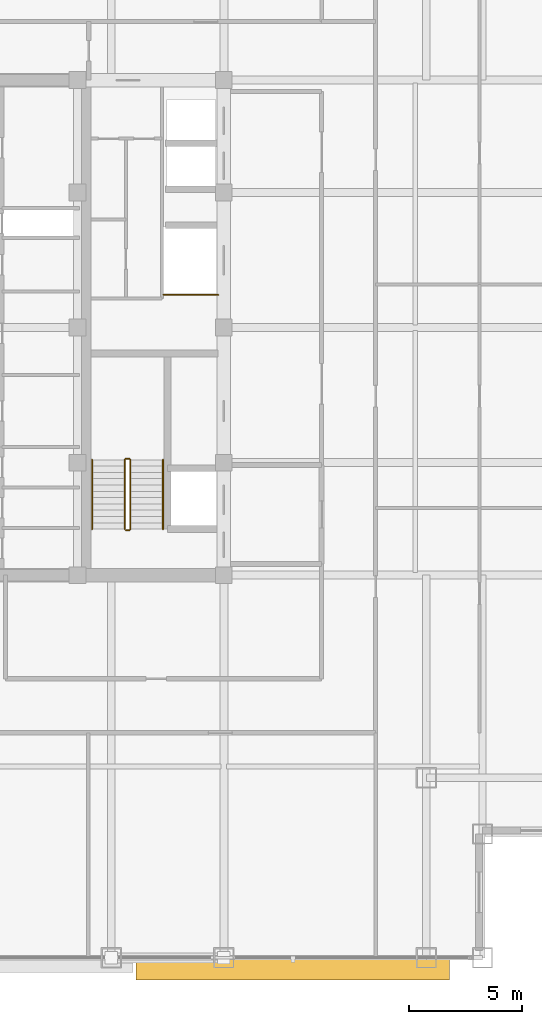
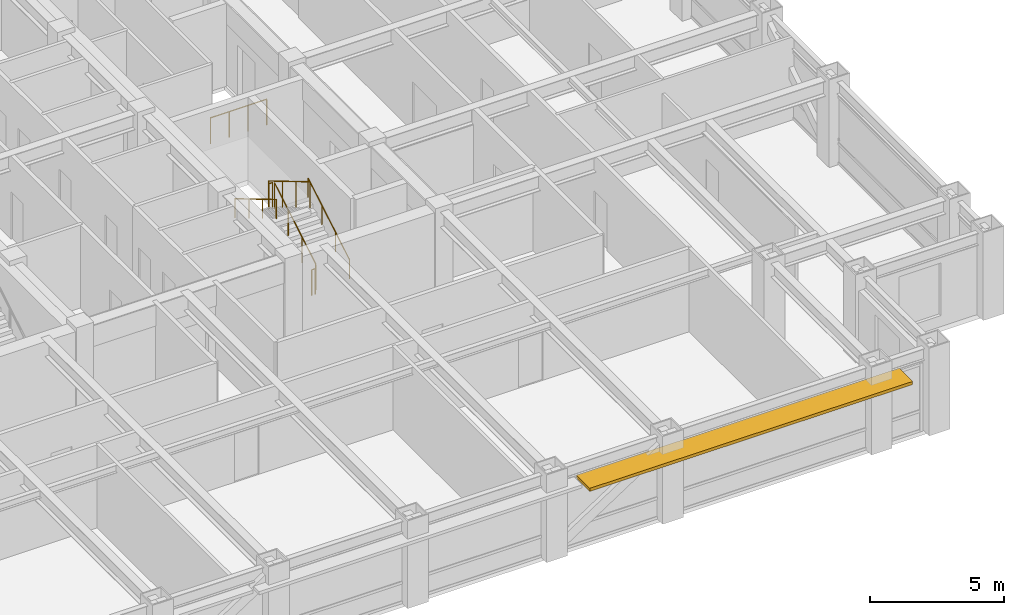
# One storey, part 25 of 27: 7 railings, 1 shading device.
"""IFC4 building model written with IfcOpenShell, lengths in metres."""

import ifcopenshell
import ifcopenshell.guid

model = None  # the IFC model being written
_history = None  # IfcOwnerHistory: only IFC2X3 demands one
_inside = {}  # id of a spatial element -> (the spatial element, [elements in it])
_under = {}  # id of a project, library or spatial element -> (it, [spatial elements below it])
_declared = {}  # id of a project -> (the project, [libraries it declares])
_typed = {}  # id of a type object -> (the type object, [elements of that type])
_made_of = {}  # id of a material, layer set ... -> (it, [elements and type objects made of it])


def new_model(schema):
    """Start an empty IFC model of exactly this schema.

    Asked for "IFC4X3", IfcOpenShell would pick the latest addendum, in which some entities
    have other attributes; the version numbers below select the first issue.
    IFC2X3 requires an IfcOwnerHistory on every rooted entity: one is made here for all.
    """
    global model, _history
    if schema == "IFC4X3":
        model = ifcopenshell.file(schema_version=(4, 3, 0, 0))
    else:
        model = ifcopenshell.file(schema=schema)
    _inside.clear()
    _under.clear()
    _declared.clear()
    _typed.clear()
    _made_of.clear()
    _history = None
    if model.schema == "IFC2X3":
        org = make("IfcOrganization", Name="unknown")
        user = make(
            "IfcPersonAndOrganization",
            ThePerson=make("IfcPerson", FamilyName="unknown"),
            TheOrganization=org,
        )
        app = make(
            "IfcApplication",
            ApplicationDeveloper=org,
            Version="unknown",
            ApplicationFullName="unknown",
            ApplicationIdentifier="unknown",
        )
        _history = make(
            "IfcOwnerHistory",
            OwningUser=user,
            OwningApplication=app,
            ChangeAction="ADDED",
            CreationDate=0,
        )
    return model


def make(cls, **values):
    """One entity of the class cls with the attributes given. An attribute that is None is left unset."""
    return model.create_entity(
        cls, **{name: value for name, value in values.items() if value is not None}
    )


def rooted(cls, **values):
    """An entity with a GlobalId (a new one), such as an element, a storey or a relation."""
    return make(cls, GlobalId=ifcopenshell.guid.new(), OwnerHistory=_history, **values)


def si_unit(unit_type, name, prefix=None):
    """IfcSIUnit, for example si_unit("LENGTHUNIT", "METRE", prefix="MILLI")."""
    return make("IfcSIUnit", UnitType=unit_type, Prefix=prefix, Name=name)


def assignment(units):
    """IfcUnitAssignment: the units of a project."""
    return None if units is None else make("IfcUnitAssignment", Units=units)


def point(xyz):
    """IfcCartesianPoint."""
    return None if xyz is None else make("IfcCartesianPoint", Coordinates=xyz)


def direction(xyz):
    """IfcDirection."""
    return None if xyz is None else make("IfcDirection", DirectionRatios=xyz)


def frame(location, z_axis=None, x_axis=None):
    """IfcAxis2Placement3D, a coordinate frame: its origin and axes. An axis left out is left unset."""
    return make(
        "IfcAxis2Placement3D",
        Location=point(location),
        Axis=direction(z_axis),
        RefDirection=direction(x_axis),
    )


def frame_2d(location, x_axis=None):
    """IfcAxis2Placement2D, a coordinate frame in the plane: its origin and x axis."""
    return make(
        "IfcAxis2Placement2D", Location=point(location), RefDirection=direction(x_axis)
    )


def origin():
    """The frame at (0, 0, 0) with its axes left unset."""
    return frame((0.0, 0.0, 0.0))


def origin_2d():
    """The frame at (0, 0) in the plane with its x axis left unset."""
    return frame_2d((0.0, 0.0))


def place(relative_to, where):
    """IfcLocalPlacement: puts the frame where relative to a parent placement (None: the world)."""
    return make(
        "IfcLocalPlacement", PlacementRelTo=relative_to, RelativePlacement=where
    )


def context(
    kind, dimensions, precision=None, world=None, true_north=None, identifier=None
):
    """IfcGeometricRepresentationContext, for example the 3D "Model" context."""
    return make(
        "IfcGeometricRepresentationContext",
        ContextIdentifier=identifier,
        ContextType=kind,
        CoordinateSpaceDimension=dimensions,
        Precision=precision,
        WorldCoordinateSystem=world,
        TrueNorth=true_north,
    )


def subcontext(parent, identifier, kind, view, scale=None):
    """IfcGeometricRepresentationSubContext, for example "Body" below "Model"."""
    return make(
        "IfcGeometricRepresentationSubContext",
        ContextIdentifier=identifier,
        ContextType=kind,
        ParentContext=parent,
        TargetScale=scale,
        TargetView=view,
    )


def project(units=None, contexts=None):
    """IfcProject with its units and contexts."""
    return rooted(
        "IfcProject",
        Name="project",
        RepresentationContexts=contexts,
        UnitsInContext=assignment(units),
    )


def spatial(cls, under=None, at=None, **own):
    """A site, building, storey or space (cls), placed at a placement, below another one or the project."""
    s = rooted(cls, ObjectPlacement=at, **own)
    if under is not None:
        _under.setdefault(under.id(), (under, []))[1].append(s)
    return s


def profile(cls, at=None, kind="AREA", **sizes):
    """A parametric profile (cls). Its sizes go by their IFC names, for example OverallWidth=200.0."""
    return make(cls, ProfileType=kind, Position=at, **sizes)


def rectangle(**sizes):
    """IfcRectangleProfileDef."""
    return profile("IfcRectangleProfileDef", **sizes)


def circle(**sizes):
    """IfcCircleProfileDef."""
    return profile("IfcCircleProfileDef", **sizes)


def extrude(swept, where, along, depth):
    """IfcExtrudedAreaSolid: the profile swept, set in the frame where, extruded along a direction by depth."""
    return make(
        "IfcExtrudedAreaSolid",
        SweptArea=swept,
        Position=where,
        ExtrudedDirection=direction(along),
        Depth=depth,
    )


def shape(context_of_items, identifier, shape_type, items):
    """IfcShapeRepresentation: the items that make up one representation, for example the "Body"."""
    return make(
        "IfcShapeRepresentation",
        ContextOfItems=context_of_items,
        RepresentationIdentifier=identifier,
        RepresentationType=shape_type,
        Items=items,
    )


def source(mapping_origin, context_of_items, identifier, shape_type, items):
    """IfcRepresentationMap: a shape defined once, which mapped items show again and again."""
    return make(
        "IfcRepresentationMap",
        MappingOrigin=mapping_origin,
        MappedRepresentation=shape(context_of_items, identifier, shape_type, items),
    )


def transform(
    local_origin,
    x_axis=None,
    y_axis=None,
    z_axis=None,
    scale=None,
    scale2=None,
    scale3=None,
    uniform=True,
):
    """IfcCartesianTransformationOperator3D, or its non-uniform kind. x_axis, y_axis, z_axis: its Axis1, 2, 3."""
    if uniform:
        return make(
            "IfcCartesianTransformationOperator3D",
            Axis1=direction(x_axis),
            Axis2=direction(y_axis),
            LocalOrigin=point(local_origin),
            Scale=scale,
            Axis3=direction(z_axis),
        )
    return make(
        "IfcCartesianTransformationOperator3DnonUniform",
        Axis1=direction(x_axis),
        Axis2=direction(y_axis),
        LocalOrigin=point(local_origin),
        Scale=scale,
        Axis3=direction(z_axis),
        Scale2=scale2,
        Scale3=scale3,
    )


def mapped(mapping_source, mapping_target):
    """IfcMappedItem: shows the shape of a source again, moved by a transform."""
    return make(
        "IfcMappedItem", MappingSource=mapping_source, MappingTarget=mapping_target
    )


def material(Name=None, Category=None):
    """IfcMaterial."""
    return make("IfcMaterial", Name=Name, Category=Category)


def layer(
    of_material, thickness, ventilated=None, Name=None, Category=None, Priority=None
):
    """IfcMaterialLayer: one layer of a wall or slab, of a material (None: an air gap)."""
    return make(
        "IfcMaterialLayer",
        Material=of_material,
        LayerThickness=thickness,
        IsVentilated=ventilated,
        Name=Name,
        Category=Category,
        Priority=Priority,
    )


def layer_set(layers, Name=None):
    """IfcMaterialLayerSet."""
    return make("IfcMaterialLayerSet", MaterialLayers=layers, LayerSetName=Name)


def made_of(thing, what):
    """Note that an element or type object is made of a material, layer set ...; save() writes the relation."""
    if what is not None:
        _made_of.setdefault(what.id(), (what, []))[1].append(thing)
    return thing


def type_object(cls, material=None, **own):
    """A type object (cls), such as IfcWallType, which elements share."""
    return made_of(rooted(cls, **own), material)


def element(
    cls,
    number,
    at=None,
    inside=None,
    cuts=None,
    type_object=None,
    material=None,
    context=None,
    identifier="Body",
    shape_type=None,
    held_by="IfcProductDefinitionShape",
    body=None,
    shapes=None,
    **own,
):
    """One element of the class cls, such as IfcWall. Its Tag is "e" and its number.

    at: its placement. inside: the storey or other place that contains it. cuts: it is an
    opening in that element (IfcRelVoidsElement). A single representation is given by context,
    identifier, shape_type and body (its items); several are given by shapes. held_by: the class
    of the entity that holds the representations. save() writes the other relations.
    """
    e = rooted(cls, Tag="e%d" % number, ObjectPlacement=at, **own)
    if body is not None:
        shapes = [shape(context, identifier, shape_type, body)]
    if shapes is not None:
        e.Representation = make(held_by, Representations=shapes)
    if inside is not None:
        _inside.setdefault(inside.id(), (inside, []))[1].append(e)
    if cuts is not None:
        rooted(
            "IfcRelVoidsElement", RelatingBuildingElement=cuts, RelatedOpeningElement=e
        )
    if type_object is not None:
        _typed.setdefault(type_object.id(), (type_object, []))[1].append(e)
    return made_of(e, material)


def aggregate(whole, parts):
    """IfcRelAggregates: a whole, such as a stair, and the parts it consists of."""
    return rooted("IfcRelAggregates", RelatingObject=whole, RelatedObjects=parts)


def save(model, path):
    """Write the relations noted so far, then the file.

    IfcRelAggregates (storeys below a building ...), IfcRelContainedInSpatialStructure (elements
    in a storey), IfcRelDefinesByType, IfcRelAssociatesMaterial and IfcRelDeclares: one each for
    every whole, place, type object, material and project.
    """
    for whole, parts in _under.values():
        aggregate(whole, parts)
    for where, things in _inside.values():
        rooted(
            "IfcRelContainedInSpatialStructure",
            RelatedElements=things,
            RelatingStructure=where,
        )
    for kind, things in _typed.values():
        rooted("IfcRelDefinesByType", RelatedObjects=things, RelatingType=kind)
    for what, things in _made_of.values():
        rooted("IfcRelAssociatesMaterial", RelatedObjects=things, RelatingMaterial=what)
    for by, libraries in _declared.values():
        rooted("IfcRelDeclares", RelatingContext=by, RelatedDefinitions=libraries)
    model.write(path)


model = new_model("IFC4")

# Units and contexts
model_context = context("Model", 3, precision=1e-05, world=origin(), true_north=direction((0.0, 1.0)))
body_context = subcontext(model_context, "Body", "Model", "MODEL_VIEW")
ifc_project = project(units=[si_unit("LENGTHUNIT", "METRE"), si_unit("AREAUNIT", "SQUARE_METRE"), si_unit("VOLUMEUNIT", "CUBIC_METRE"), si_unit("PLANEANGLEUNIT", "RADIAN"), si_unit("MASSUNIT", "GRAM", prefix="KILO")], contexts=[model_context])

# Site, building, storey
site_placement = place(None, origin())
site = spatial("IfcSite", under=ifc_project, at=site_placement, CompositionType="ELEMENT")
building_placement = place(site_placement, origin())
building = spatial("IfcBuilding", under=site, at=building_placement, Name="Khorayat Bourse Tower", CompositionType="ELEMENT")
storey_placement = place(building_placement, frame((0.0, 0.0, 313.5)))
storey = spatial("IfcBuildingStorey", under=building, at=storey_placement, Name="L74", CompositionType="ELEMENT", Elevation=313.5)

# Shading device
ifc_material_1 = material(Name="Precast concrete C45/55", Category="concrete")
ifc_layer = layer(ifc_material_1, 0.139892578125)
ifc_layer_set = layer_set([ifc_layer], Name="Precast concrete C45/55")
shading_device_type = type_object("IfcShadingDeviceType", Name="SHD-WAVE-TRAY-A", PredefinedType="USERDEFINED", material=ifc_layer_set)
shared_shape_1 = source(origin(), body_context, "Body", "SweptSolid", [
    extrude(rectangle(XDim=13.9267578125, YDim=1.00537109375, at=origin_2d()), origin(), (0.0, 0.0, 1.0), 0.139892578125),
])
shading_device_placement = place(storey_placement, frame((14.066650390625, -28.482666015625, 3.0302734375), z_axis=(0.0, 0.0, 1.0), x_axis=(1.0, 0.0, 0.0)))
element("IfcShadingDevice", 1, at=shading_device_placement, inside=storey, type_object=shading_device_type, Name="L74 Sinusoidal Wave Sunshade Tray S-3", ObjectType="SUNSHADE", PredefinedType="USERDEFINED", context=body_context, shape_type="MappedRepresentation", body=[
    mapped(shared_shape_1, transform((0.0, 0.0, 0.0), scale=1.0)),
])

# Railings
ifc_material_2 = material(Name="Powder-coated steel balustrade", Category="steel")
railing_type_1 = type_object("IfcRailingType", Name="RLG-GUARD-1200", PredefinedType="GUARDRAIL", material=ifc_material_2)
shared_shape_2 = source(origin(), body_context, "Body", "SweptSolid", [
    extrude(circle(Radius=0.02392578125, at=origin_2d()), frame((0.0, 0.0, 1.17578125), z_axis=(-1.0, 0.0, 0.0), x_axis=(0.0, -1.0, 0.0)), (0.0, 0.0, 1.0), 0.150146484375),
    extrude(circle(Radius=0.02099609375, at=origin_2d()), origin(), (0.0, 0.0, 1.0), 1.15185546875),
    extrude(circle(Radius=0.02099609375, at=origin_2d()), frame((-0.150146484375, 0.0, 0.0)), (0.0, 0.0, 1.0), 1.15185546875),
])
for number, where, name in (
    (2, (6.800048828125, -5.820068359375, 2.0), "L74 ST-3 stair guard 2"),
    (3, (6.800048828125, -9.0, 0.0), "L74 ST-3 stair guard 4"),
):
    element("IfcRailing", number, at=place(storey_placement, frame(where)), inside=storey, type_object=railing_type_1, Name=name, PredefinedType="GUARDRAIL", context=body_context, shape_type="MappedRepresentation", body=[
        mapped(shared_shape_2, transform((0.0, 0.0, 0.0), scale=1.0)),
    ])
shared_shape_3 = source(origin(), body_context, "Body", "SweptSolid", [
    extrude(circle(Radius=0.02392578125, at=origin_2d()), frame((0.0, 0.0, 1.17578125), z_axis=(0.0, 0.859290745958, 0.51148745235), x_axis=(-1.0, 0.0, 0.0)), (0.0, 0.0, 1.0), 3.584228515625),
    extrude(circle(Radius=0.02099609375, at=origin_2d()), origin(), (0.0, 0.0, 1.0), 1.15185546875),
    extrude(circle(Radius=0.02099609375, at=origin_2d()), frame((0.0, 1.026611328125, 0.611083984375)), (0.0, 0.0, 1.0), 1.15185546875),
    extrude(circle(Radius=0.02099609375, at=origin_2d()), frame((0.0, 2.05322265625, 1.22216796875)), (0.0, 0.0, 1.0), 1.15185546875),
    extrude(circle(Radius=0.02099609375, at=origin_2d()), frame((0.0, 3.079833984375, 1.833251953125)), (0.0, 0.0, 1.0), 1.15185546875),
])
railing_1_placement = place(storey_placement, frame((6.85009765625, -8.949951171875, 0.166748046875)))
element("IfcRailing", 4, at=railing_1_placement, inside=storey, type_object=railing_type_1, Name="L74 ST-3 stair guard 1", PredefinedType="GUARDRAIL", context=body_context, shape_type="MappedRepresentation", body=[
    mapped(shared_shape_3, transform((0.0, 0.0, 0.0), scale=1.0)),
])
shared_shape_4 = source(origin(), body_context, "Body", "SweptSolid", [
    extrude(circle(Radius=0.02392578125, at=origin_2d()), frame((0.0, 0.0, 1.17578125), z_axis=(0.0, -0.859290745958, 0.51148745235), x_axis=(1.0, 0.0, 0.0)), (0.0, 0.0, 1.0), 3.584228515625),
    extrude(circle(Radius=0.02099609375, at=origin_2d()), origin(), (0.0, 0.0, 1.0), 1.15185546875),
    extrude(circle(Radius=0.02099609375, at=origin_2d()), frame((0.0, -1.026611328125, 0.611083984375)), (0.0, 0.0, 1.0), 1.15185546875),
    extrude(circle(Radius=0.02099609375, at=origin_2d()), frame((0.0, -2.05322265625, 1.22216796875)), (0.0, 0.0, 1.0), 1.15185546875),
    extrude(circle(Radius=0.02099609375, at=origin_2d()), frame((0.0, -3.079833984375, 1.833251953125)), (0.0, 0.0, 1.0), 1.15185546875),
])
railing_2_placement = place(storey_placement, frame((6.60009765625, -5.8701171875, 2.166748046875)))
element("IfcRailing", 5, at=railing_2_placement, inside=storey, type_object=railing_type_1, Name="L74 ST-3 stair guard 3", PredefinedType="GUARDRAIL", context=body_context, shape_type="MappedRepresentation", body=[
    mapped(shared_shape_4, transform((0.0, 0.0, 0.0), scale=1.0)),
])
ifc_material_3 = material(Name="Brushed bronze stainless-steel handrail", Category="steel")
railing_type_2 = type_object("IfcRailingType", Name="RLG-HAND-900", PredefinedType="HANDRAIL", material=ifc_material_3)
shared_shape_5 = source(origin(), body_context, "Body", "SweptSolid", [
    extrude(circle(Radius=0.02392578125, at=origin_2d()), frame((0.0, 0.0, 0.8759765625), z_axis=(0.0, 0.859290745958, 0.51148745235), x_axis=(-1.0, 0.0, 0.0)), (0.0, 0.0, 1.0), 3.584228515625),
    extrude(circle(Radius=0.02099609375, at=origin_2d()), origin(), (0.0, 0.0, 1.0), 0.851806640625),
    extrude(circle(Radius=0.02099609375, at=origin_2d()), frame((0.0, 1.026611328125, 0.611083984375)), (0.0, 0.0, 1.0), 0.851806640625),
    extrude(circle(Radius=0.02099609375, at=origin_2d()), frame((0.0, 2.05322265625, 1.22216796875)), (0.0, 0.0, 1.0), 0.851806640625),
    extrude(circle(Radius=0.02099609375, at=origin_2d()), frame((0.0, 3.079833984375, 1.833251953125)), (0.0, 0.0, 1.0), 0.851806640625),
])
railing_3_placement = place(storey_placement, frame((8.300048828125, -8.949951171875, 0.166748046875)))
element("IfcRailing", 6, at=railing_3_placement, inside=storey, type_object=railing_type_2, Name="L74 ST-3 stair handrail 1", PredefinedType="HANDRAIL", context=body_context, shape_type="MappedRepresentation", body=[
    mapped(shared_shape_5, transform((0.0, 0.0, 0.0), scale=1.0)),
])
shared_shape_6 = source(origin(), body_context, "Body", "SweptSolid", [
    extrude(circle(Radius=0.02392578125, at=origin_2d()), frame((0.0, 0.0, 0.8759765625), z_axis=(0.0, -0.859290745958, 0.51148745235), x_axis=(1.0, 0.0, 0.0)), (0.0, 0.0, 1.0), 3.584228515625),
    extrude(circle(Radius=0.02099609375, at=origin_2d()), origin(), (0.0, 0.0, 1.0), 0.851806640625),
    extrude(circle(Radius=0.02099609375, at=origin_2d()), frame((0.0, -1.026611328125, 0.611083984375)), (0.0, 0.0, 1.0), 0.851806640625),
    extrude(circle(Radius=0.02099609375, at=origin_2d()), frame((0.0, -2.05322265625, 1.22216796875)), (0.0, 0.0, 1.0), 0.851806640625),
    extrude(circle(Radius=0.02099609375, at=origin_2d()), frame((0.0, -3.079833984375, 1.833251953125)), (0.0, 0.0, 1.0), 0.851806640625),
])
railing_4_placement = place(storey_placement, frame((5.14990234375, -5.8701171875, 2.166748046875)))
element("IfcRailing", 7, at=railing_4_placement, inside=storey, type_object=railing_type_2, Name="L74 ST-3 stair handrail 2", PredefinedType="HANDRAIL", context=body_context, shape_type="MappedRepresentation", body=[
    mapped(shared_shape_6, transform((0.0, 0.0, 0.0), scale=1.0)),
])
shared_shape_7 = source(origin(), body_context, "Body", "SweptSolid", [
    extrude(circle(Radius=0.02392578125, at=origin_2d()), frame((0.0, 0.0, 1.17578125), z_axis=(1.0, 0.0, 0.0), x_axis=(0.0, 1.0, 0.0)), (0.0, 0.0, 1.0), 2.429931640625),
    extrude(circle(Radius=0.02099609375, at=origin_2d()), origin(), (0.0, 0.0, 1.0), 1.15185546875),
    extrude(circle(Radius=0.02099609375, at=origin_2d()), frame((0.81005859375, 0.0, 0.0)), (0.0, 0.0, 1.0), 1.15185546875),
    extrude(circle(Radius=0.02099609375, at=origin_2d()), frame((1.619873046875, 0.0, 0.0)), (0.0, 0.0, 1.0), 1.15185546875),
    extrude(circle(Radius=0.02099609375, at=origin_2d()), frame((2.429931640625, 0.0, 0.0)), (0.0, 0.0, 1.0), 1.15185546875),
])
railing_5_placement = place(storey_placement, frame((8.320068359375, 1.4599609375, 0.0)))
element("IfcRailing", 8, at=railing_5_placement, inside=storey, type_object=railing_type_1, Name="L74 Goods Shaft Opening Guardrail", PredefinedType="GUARDRAIL", context=body_context, shape_type="MappedRepresentation", body=[
    mapped(shared_shape_7, transform((0.0, 0.0, 0.0), scale=1.0)),
])

save(model, "model.ifc")
